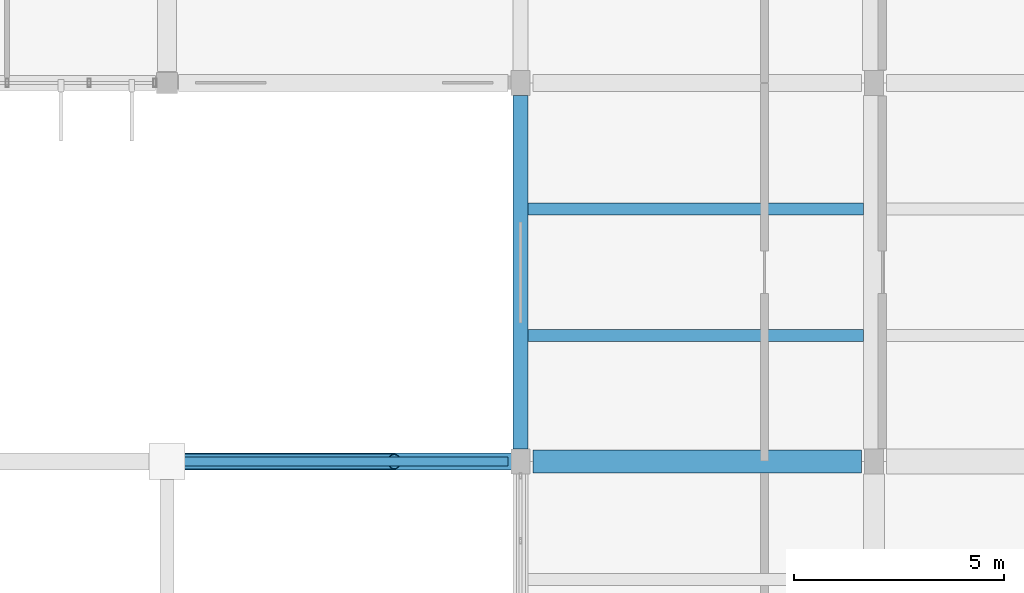
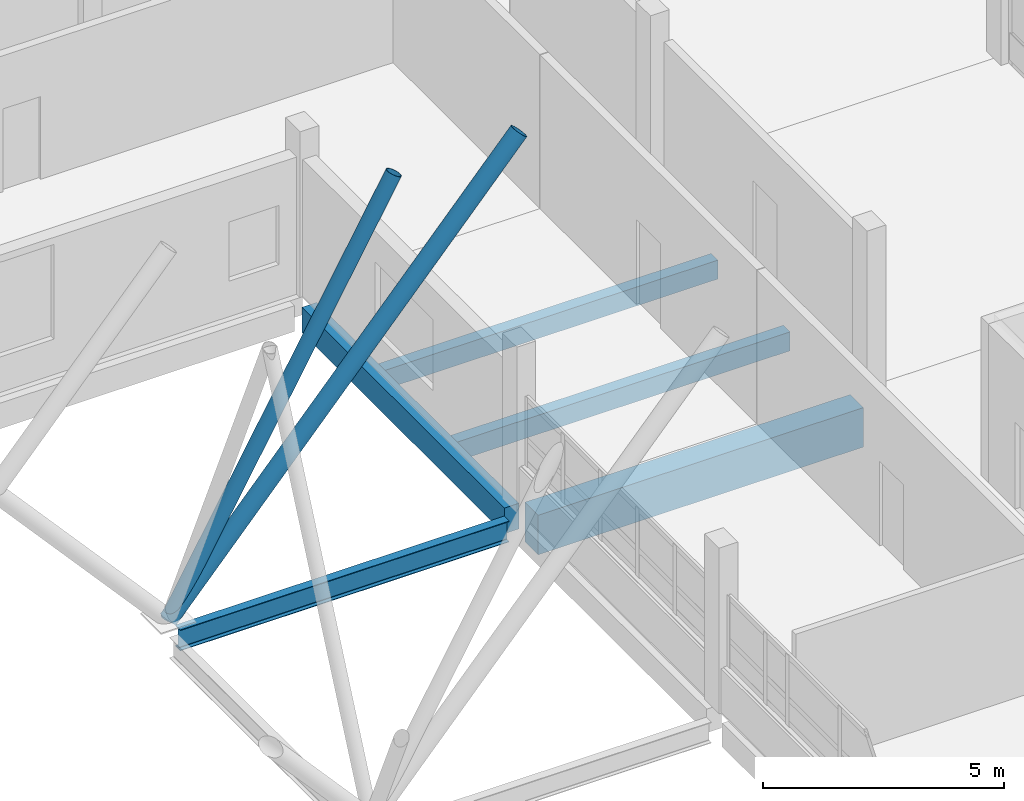
# One storey, part 47 of 107: 5 beams, 2 members.
"""IFC4 building model written with IfcOpenShell, lengths in metres."""

import ifcopenshell
import ifcopenshell.guid

model = None  # the IFC model being written
_history = None  # IfcOwnerHistory: only IFC2X3 demands one
_inside = {}  # id of a spatial element -> (the spatial element, [elements in it])
_under = {}  # id of a project, library or spatial element -> (it, [spatial elements below it])
_declared = {}  # id of a project -> (the project, [libraries it declares])
_typed = {}  # id of a type object -> (the type object, [elements of that type])
_made_of = {}  # id of a material, layer set ... -> (it, [elements and type objects made of it])


def new_model(schema):
    """Start an empty IFC model of exactly this schema.

    Asked for "IFC4X3", IfcOpenShell would pick the latest addendum, in which some entities
    have other attributes; the version numbers below select the first issue.
    IFC2X3 requires an IfcOwnerHistory on every rooted entity: one is made here for all.
    """
    global model, _history
    if schema == "IFC4X3":
        model = ifcopenshell.file(schema_version=(4, 3, 0, 0))
    else:
        model = ifcopenshell.file(schema=schema)
    _inside.clear()
    _under.clear()
    _declared.clear()
    _typed.clear()
    _made_of.clear()
    _history = None
    if model.schema == "IFC2X3":
        org = make("IfcOrganization", Name="unknown")
        user = make(
            "IfcPersonAndOrganization",
            ThePerson=make("IfcPerson", FamilyName="unknown"),
            TheOrganization=org,
        )
        app = make(
            "IfcApplication",
            ApplicationDeveloper=org,
            Version="unknown",
            ApplicationFullName="unknown",
            ApplicationIdentifier="unknown",
        )
        _history = make(
            "IfcOwnerHistory",
            OwningUser=user,
            OwningApplication=app,
            ChangeAction="ADDED",
            CreationDate=0,
        )
    return model


def make(cls, **values):
    """One entity of the class cls with the attributes given. An attribute that is None is left unset."""
    return model.create_entity(
        cls, **{name: value for name, value in values.items() if value is not None}
    )


def rooted(cls, **values):
    """An entity with a GlobalId (a new one), such as an element, a storey or a relation."""
    return make(cls, GlobalId=ifcopenshell.guid.new(), OwnerHistory=_history, **values)


def si_unit(unit_type, name, prefix=None):
    """IfcSIUnit, for example si_unit("LENGTHUNIT", "METRE", prefix="MILLI")."""
    return make("IfcSIUnit", UnitType=unit_type, Prefix=prefix, Name=name)


def assignment(units):
    """IfcUnitAssignment: the units of a project."""
    return None if units is None else make("IfcUnitAssignment", Units=units)


def point(xyz):
    """IfcCartesianPoint."""
    return None if xyz is None else make("IfcCartesianPoint", Coordinates=xyz)


def direction(xyz):
    """IfcDirection."""
    return None if xyz is None else make("IfcDirection", DirectionRatios=xyz)


def frame(location, z_axis=None, x_axis=None):
    """IfcAxis2Placement3D, a coordinate frame: its origin and axes. An axis left out is left unset."""
    return make(
        "IfcAxis2Placement3D",
        Location=point(location),
        Axis=direction(z_axis),
        RefDirection=direction(x_axis),
    )


def frame_2d(location, x_axis=None):
    """IfcAxis2Placement2D, a coordinate frame in the plane: its origin and x axis."""
    return make(
        "IfcAxis2Placement2D", Location=point(location), RefDirection=direction(x_axis)
    )


def origin():
    """The frame at (0, 0, 0) with its axes left unset."""
    return frame((0.0, 0.0, 0.0))


def origin_2d():
    """The frame at (0, 0) in the plane with its x axis left unset."""
    return frame_2d((0.0, 0.0))


def place(relative_to, where):
    """IfcLocalPlacement: puts the frame where relative to a parent placement (None: the world)."""
    return make(
        "IfcLocalPlacement", PlacementRelTo=relative_to, RelativePlacement=where
    )


def context(
    kind, dimensions, precision=None, world=None, true_north=None, identifier=None
):
    """IfcGeometricRepresentationContext, for example the 3D "Model" context."""
    return make(
        "IfcGeometricRepresentationContext",
        ContextIdentifier=identifier,
        ContextType=kind,
        CoordinateSpaceDimension=dimensions,
        Precision=precision,
        WorldCoordinateSystem=world,
        TrueNorth=true_north,
    )


def subcontext(parent, identifier, kind, view, scale=None):
    """IfcGeometricRepresentationSubContext, for example "Body" below "Model"."""
    return make(
        "IfcGeometricRepresentationSubContext",
        ContextIdentifier=identifier,
        ContextType=kind,
        ParentContext=parent,
        TargetScale=scale,
        TargetView=view,
    )


def project(units=None, contexts=None):
    """IfcProject with its units and contexts."""
    return rooted(
        "IfcProject",
        Name="project",
        RepresentationContexts=contexts,
        UnitsInContext=assignment(units),
    )


def spatial(cls, under=None, at=None, **own):
    """A site, building, storey or space (cls), placed at a placement, below another one or the project."""
    s = rooted(cls, ObjectPlacement=at, **own)
    if under is not None:
        _under.setdefault(under.id(), (under, []))[1].append(s)
    return s


def profile(cls, at=None, kind="AREA", **sizes):
    """A parametric profile (cls). Its sizes go by their IFC names, for example OverallWidth=200.0."""
    return make(cls, ProfileType=kind, Position=at, **sizes)


def rectangle(**sizes):
    """IfcRectangleProfileDef."""
    return profile("IfcRectangleProfileDef", **sizes)


def hollow_circle(**sizes):
    """IfcCircleHollowProfileDef."""
    return profile("IfcCircleHollowProfileDef", **sizes)


def i_section(**sizes):
    """IfcIShapeProfileDef."""
    return profile("IfcIShapeProfileDef", **sizes)


def extrude(swept, where, along, depth):
    """IfcExtrudedAreaSolid: the profile swept, set in the frame where, extruded along a direction by depth."""
    return make(
        "IfcExtrudedAreaSolid",
        SweptArea=swept,
        Position=where,
        ExtrudedDirection=direction(along),
        Depth=depth,
    )


def shape(context_of_items, identifier, shape_type, items):
    """IfcShapeRepresentation: the items that make up one representation, for example the "Body"."""
    return make(
        "IfcShapeRepresentation",
        ContextOfItems=context_of_items,
        RepresentationIdentifier=identifier,
        RepresentationType=shape_type,
        Items=items,
    )


def material(Name=None, Category=None):
    """IfcMaterial."""
    return make("IfcMaterial", Name=Name, Category=Category)


def material_profile(
    of_material, cross_section, Name=None, Category=None, Priority=None
):
    """IfcMaterialProfile: a cross section and its material."""
    return make(
        "IfcMaterialProfile",
        Name=Name,
        Material=of_material,
        Profile=cross_section,
        Priority=Priority,
        Category=Category,
    )


def profile_set(profiles, Name=None, composite=None):
    """IfcMaterialProfileSet."""
    return make(
        "IfcMaterialProfileSet",
        Name=Name,
        MaterialProfiles=profiles,
        CompositeProfile=composite,
    )


def made_of(thing, what):
    """Note that an element or type object is made of a material, layer set ...; save() writes the relation."""
    if what is not None:
        _made_of.setdefault(what.id(), (what, []))[1].append(thing)
    return thing


def type_object(cls, material=None, **own):
    """A type object (cls), such as IfcWallType, which elements share."""
    return made_of(rooted(cls, **own), material)


def element(
    cls,
    number,
    at=None,
    inside=None,
    cuts=None,
    type_object=None,
    material=None,
    context=None,
    identifier="Body",
    shape_type=None,
    held_by="IfcProductDefinitionShape",
    body=None,
    shapes=None,
    **own,
):
    """One element of the class cls, such as IfcWall. Its Tag is "e" and its number.

    at: its placement. inside: the storey or other place that contains it. cuts: it is an
    opening in that element (IfcRelVoidsElement). A single representation is given by context,
    identifier, shape_type and body (its items); several are given by shapes. held_by: the class
    of the entity that holds the representations. save() writes the other relations.
    """
    e = rooted(cls, Tag="e%d" % number, ObjectPlacement=at, **own)
    if body is not None:
        shapes = [shape(context, identifier, shape_type, body)]
    if shapes is not None:
        e.Representation = make(held_by, Representations=shapes)
    if inside is not None:
        _inside.setdefault(inside.id(), (inside, []))[1].append(e)
    if cuts is not None:
        rooted(
            "IfcRelVoidsElement", RelatingBuildingElement=cuts, RelatedOpeningElement=e
        )
    if type_object is not None:
        _typed.setdefault(type_object.id(), (type_object, []))[1].append(e)
    return made_of(e, material)


def aggregate(whole, parts):
    """IfcRelAggregates: a whole, such as a stair, and the parts it consists of."""
    return rooted("IfcRelAggregates", RelatingObject=whole, RelatedObjects=parts)


def save(model, path):
    """Write the relations noted so far, then the file.

    IfcRelAggregates (storeys below a building ...), IfcRelContainedInSpatialStructure (elements
    in a storey), IfcRelDefinesByType, IfcRelAssociatesMaterial and IfcRelDeclares: one each for
    every whole, place, type object, material and project.
    """
    for whole, parts in _under.values():
        aggregate(whole, parts)
    for where, things in _inside.values():
        rooted(
            "IfcRelContainedInSpatialStructure",
            RelatedElements=things,
            RelatingStructure=where,
        )
    for kind, things in _typed.values():
        rooted("IfcRelDefinesByType", RelatedObjects=things, RelatingType=kind)
    for what, things in _made_of.values():
        rooted("IfcRelAssociatesMaterial", RelatedObjects=things, RelatingMaterial=what)
    for by, libraries in _declared.values():
        rooted("IfcRelDeclares", RelatingContext=by, RelatedDefinitions=libraries)
    model.write(path)


model = new_model("IFC4")

# Units and contexts
model_context = context("Model", 3, precision=1e-05, world=origin(), true_north=direction((0.0, 1.0)))
body_context = subcontext(model_context, "Body", "Model", "MODEL_VIEW")
ifc_project = project(units=[si_unit("LENGTHUNIT", "METRE"), si_unit("AREAUNIT", "SQUARE_METRE"), si_unit("VOLUMEUNIT", "CUBIC_METRE"), si_unit("PLANEANGLEUNIT", "RADIAN"), si_unit("MASSUNIT", "GRAM", prefix="KILO")], contexts=[model_context])

# Site, building, storey
site_placement = place(None, origin())
site = spatial("IfcSite", under=ifc_project, at=site_placement, CompositionType="ELEMENT")
building_placement = place(site_placement, origin())
building = spatial("IfcBuilding", under=site, at=building_placement, Name="Vireocrest Preparatory School", CompositionType="ELEMENT")
storey_placement = place(building_placement, frame((0.0, 0.0, 13.199951171875)))
storey = spatial("IfcBuildingStorey", under=building, at=storey_placement, Name="L03", CompositionType="ELEMENT", Elevation=13.199951171875)

# Beams
ifc_material_1 = material(Name="Structural steel ASTM A992 Grade 50", Category="steel")
ifc_material_profile_1 = material_profile(ifc_material_1, i_section(OverallWidth=0.208984375, OverallDepth=0.532958984375, WebThickness=0.01025390625, FlangeThickness=0.015625, FilletRadius=0.014892578125, at=origin_2d()), Name="W21X62")
ifc_profile_set_1 = profile_set([ifc_material_profile_1], Name="Structural steel ASTM A992 Grade 50")
beam_type_1 = type_object("IfcBeamType", Name="Court Tie Girder W21X62", PredefinedType="BEAM", material=ifc_profile_set_1)
beam_1_placement = place(storey_placement, frame((84.2236328125, 85.800048828125, -0.56640625), z_axis=(1.0, 0.0, 0.0), x_axis=(0.0, 1.0, 0.0)))
element("IfcBeam", 1, at=beam_1_placement, inside=storey, type_object=beam_type_1, Name="Court Trunk Lateral Tie Girder SB5 E8 L03", PredefinedType="BEAM", context=body_context, shape_type="SweptSolid", body=[
    extrude(i_section(OverallWidth=0.208984375, OverallDepth=0.532958984375, WebThickness=0.01025390625, FlangeThickness=0.015625, FilletRadius=0.014892578125, at=origin_2d()), origin(), (0.0, 0.0, 1.0), 7.88134765625),
])
ifc_material_2 = material(Name="Concrete 40 MPa", Category="concrete")
ifc_material_profile_2 = material_profile(ifc_material_2, rectangle(XDim=0.35009765625, YDim=0.64990234375, at=origin_2d()), Name="RC 350x650")
ifc_profile_set_2 = profile_set([ifc_material_profile_2], Name="Concrete 40 MPa")
beam_type_2 = type_object("IfcBeamType", Name="RC Classroom Girder 350x650", PredefinedType="BEAM", material=ifc_profile_set_2)
beam_2_placement = place(storey_placement, frame((92.39990234375, 86.10009765625, -0.5849609375), z_axis=(0.0, 1.0, 0.0), x_axis=(-1.0, 0.0, 0.0)))
element("IfcBeam", 2, at=beam_2_placement, inside=storey, type_object=beam_type_2, Name="Primary Girder B05 L03-1150", PredefinedType="BEAM", context=body_context, shape_type="SweptSolid", body=[
    extrude(rectangle(XDim=0.35009765625, YDim=0.64990234375, at=origin_2d()), origin(), (0.0, 0.0, 1.0), 8.39990234375),
])
ifc_material_profile_3 = material_profile(ifc_material_2, rectangle(XDim=0.550048828125, YDim=1.0, at=origin_2d()), Name="RC 550x1000")
ifc_profile_set_3 = profile_set([ifc_material_profile_3], Name="Concrete 40 MPa")
beam_type_3 = type_object("IfcBeamType", Name="RC Core Coupling Beam 550x1000", PredefinedType="BEAM", material=ifc_profile_set_3)
beam_3_placement = place(storey_placement, frame((92.699951171875, 85.800048828125, -0.760009765625), z_axis=(1.0, 0.0, 0.0), x_axis=(0.0, 1.0, 0.0)))
element("IfcBeam", 3, at=beam_3_placement, inside=storey, type_object=beam_type_3, Name="Primary Girder B18 L03-1078", PredefinedType="BEAM", context=body_context, shape_type="SweptSolid", body=[
    extrude(rectangle(XDim=0.550048828125, YDim=1.0, at=origin_2d()), origin(), (0.0, 0.0, 1.0), 7.800048828125),
])
ifc_material_profile_4 = material_profile(ifc_material_2, rectangle(XDim=0.280029296875, YDim=0.47998046875, at=origin_2d()), Name="RC 280x480")
ifc_profile_set_4 = profile_set([ifc_material_profile_4], Name="Concrete 40 MPa")
beam_type_4 = type_object("IfcBeamType", Name="RC Secondary Lab Joist 280x480", PredefinedType="JOIST", material=ifc_profile_set_4)
for number, where, z_axis, x_axis, name in (
    (4, (92.574951171875, 88.800048828125, -0.5), (1.0, 0.0, 0.0), (0.0, 1.0, 0.0), "Secondary Joist J02 L03-1253"),
    (5, (92.574951171875, 91.800048828125, -0.5), (1.0, 0.0, 0.0), (0.0, 1.0, 0.0), "Secondary Joist J02 L03-1254"),
):
    element("IfcBeam", number, at=place(storey_placement, frame(where, z_axis=z_axis, x_axis=x_axis)), inside=storey, type_object=beam_type_4, Name=name, PredefinedType="JOIST", context=body_context, shape_type="SweptSolid", body=[
        extrude(rectangle(XDim=0.280029296875, YDim=0.47998046875, at=origin_2d()), origin(), (0.0, 0.0, 1.0), 7.97509765625),
    ])

# Members
ifc_material_3 = material(Name="Painted white steel ASTM A500 Grade C", Category="steel")
ifc_material_profile_5 = material_profile(ifc_material_3, hollow_circle(Radius=0.177734375, WallThickness=0.0126953125, at=origin_2d()), Name="HSS14.000X0.500")
ifc_profile_set_5 = profile_set([ifc_material_profile_5], Name="Painted white steel ASTM A500 Grade C")
member_type_1 = type_object("IfcMemberType", Name="White Steel Canopy V-Strut HSS14.000X0.500", PredefinedType="USERDEFINED", material=ifc_profile_set_5)
member_1_placement = place(storey_placement, frame((84.0, 85.800048828125, -0.010009765625), z_axis=(0.496917813622, 0.0, 0.867797606879), x_axis=(0.0, 1.0, 0.0)))
element("IfcMember", 6, at=member_1_placement, inside=storey, type_object=member_type_1, Name="White Steel V-Strut VS1 E8", ObjectType="STRUT", PredefinedType="USERDEFINED", context=body_context, shape_type="SweptSolid", body=[
    extrude(hollow_circle(Radius=0.177734375, WallThickness=0.0126953125, at=origin_2d()), origin(), (0.0, 0.0, 1.0), 10.86669921875),
])
ifc_material_profile_6 = material_profile(ifc_material_3, hollow_circle(Radius=0.203125, WallThickness=0.0126953125, at=origin_2d()), Name="HSS16.000X0.500")
ifc_profile_set_6 = profile_set([ifc_material_profile_6], Name="Painted white steel ASTM A500 Grade C")
member_type_2 = type_object("IfcMemberType", Name="White Steel V-Column Branch HSS16.000X0.500", PredefinedType="USERDEFINED", material=ifc_profile_set_6)
member_2_placement = place(storey_placement, frame((84.0, 85.800048828125, -0.010009765625), z_axis=(0.665138630213, 0.0, 0.746719895676), x_axis=(0.0, 1.0, 0.0)))
element("IfcMember", 7, at=member_2_placement, inside=storey, type_object=member_type_2, Name="White Steel V-Column Branch VC3 E8-A2", ObjectType="STRUT", PredefinedType="USERDEFINED", context=body_context, shape_type="SweptSolid", body=[
    extrude(hollow_circle(Radius=0.203125, WallThickness=0.0126953125, at=origin_2d()), origin(), (0.0, 0.0, 1.0), 12.62890625),
])

save(model, "model.ifc")
